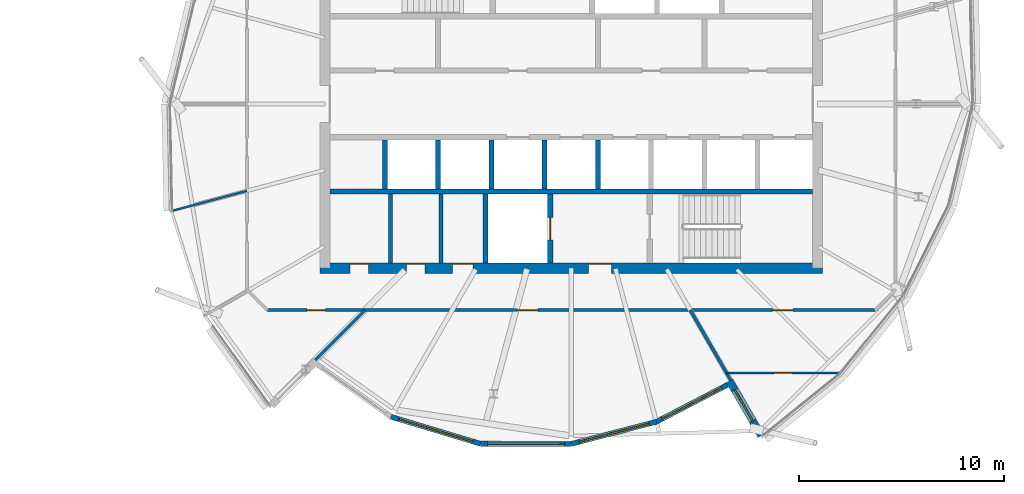
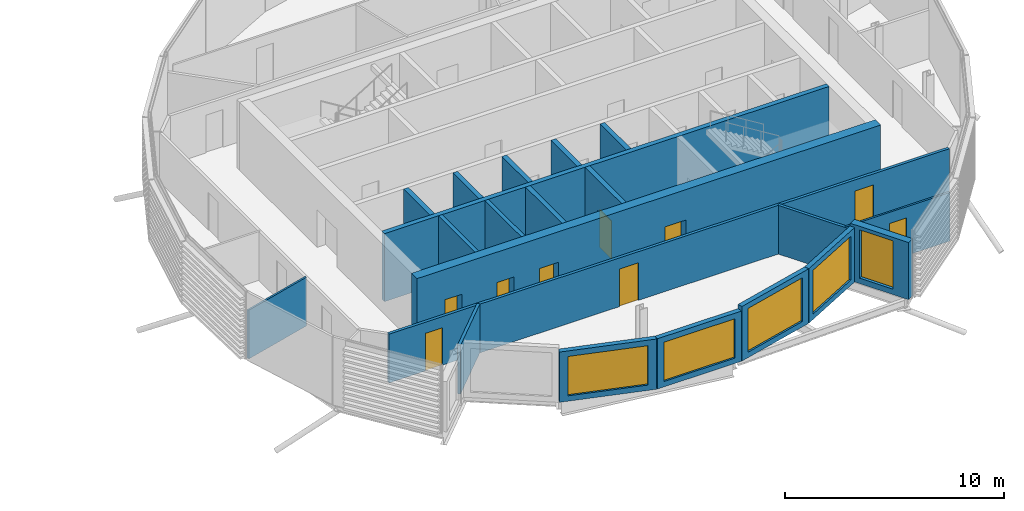
# One storey, part 21 of 35: 21 walls, 9 doors, 5 windows, 14 openings.
"""IFC4 building model written with IfcOpenShell, lengths in metres."""

from ifc_helpers import new_model, si_unit, direction, frame, frame_2d, origin, place, context, subcontext, project, spatial, rectangle, extrude, material, layer, layer_set, type_object, element, fill, save


model = new_model("IFC4")

# Units and contexts
model_context = context("Model", 3, precision=1e-05, world=origin(), true_north=direction((0.0, 1.0)))
body_context = subcontext(model_context, "Body", "Model", "MODEL_VIEW")
ifc_project = project(units=[si_unit("LENGTHUNIT", "METRE"), si_unit("AREAUNIT", "SQUARE_METRE"), si_unit("VOLUMEUNIT", "CUBIC_METRE"), si_unit("PLANEANGLEUNIT", "RADIAN"), si_unit("MASSUNIT", "GRAM", prefix="KILO")], contexts=[model_context])

# Site, building, storey
site_placement = place(None, origin())
site = spatial("IfcSite", under=ifc_project, at=site_placement, CompositionType="ELEMENT")
building_placement = place(site_placement, origin())
building = spatial("IfcBuilding", under=site, at=building_placement, Name="Rimbun Link Towers", CompositionType="ELEMENT")
storey_placement = place(building_placement, frame((0.0, 0.0, 229.5)))
storey = spatial("IfcBuildingStorey", under=building, at=storey_placement, Name="L56", CompositionType="ELEMENT", Elevation=229.5)

# Wall, opening, window
ifc_material_1 = material(Name="Dark enamelled glass spandrel on insulated aluminium backpan", Category="aluminium")
ifc_layer_1 = layer(ifc_material_1, 0.25)
ifc_layer_set_1 = layer_set([ifc_layer_1], Name="CS dark enamelled spandrel wall 250")
wall_type_1 = type_object("IfcWallType", Name="CS dark enamelled spandrel wall 250", PredefinedType="STANDARD", material=ifc_layer_set_1)
wall_1_placement = place(storey_placement, frame((27.328125, -16.558349609375, 0.0), z_axis=(0.0, 0.0, 1.0), x_axis=(-0.957446917434, 0.28860942517, 0.0)))
wall_1 = element("IfcWall", 1, at=wall_1_placement, inside=storey, type_object=wall_type_1, Name="Crease spandrel wall", PredefinedType="STANDARD", context=body_context, shape_type="SweptSolid", body=[
    extrude(rectangle(XDim=4.56201171875, YDim=0.25, at=frame_2d((2.281005859375, 0.0))), origin(), (0.0, 0.0, 1.0), 2.809326171875),
])
opening_1_placement = place(wall_1_placement, frame((0.406005859375, 0.0, 0.300048828125)))
opening_1 = element("IfcOpeningElement", 2, at=opening_1_placement, cuts=wall_1, Name="Opening WR38H220", PredefinedType="OPENING", context=body_context, shape_type="SweptSolid", body=[
    extrude(rectangle(XDim=3.75, YDim=2.199951171875, at=frame_2d((1.875, 1.10009765625))), frame((0.0, 0.135009765625, 0.0), z_axis=(0.0, -1.0, 0.0), x_axis=(1.0, 0.0, 0.0)), (0.0, 0.0, 1.0), 0.27001953125),
])
ifc_material_2 = material(Name="Aluminium framed fixed window, dark tinted low-e glass", Category="aluminium")
window_type_1 = type_object("IfcWindowType", Name="WR ribbon window 3750X2200", PartitioningType="SINGLE_PANEL", PredefinedType="WINDOW", material=ifc_material_2)
window_1_placement = place(opening_1_placement, origin())
window_1 = element("IfcWindow", 3, at=window_1_placement, inside=storey, type_object=window_type_1, Name="Crease ribbon window", OverallHeight=2.199951171875, OverallWidth=3.75, PartitioningType="SINGLE_PANEL", PredefinedType="WINDOW", context=body_context, shape_type="SweptSolid", body=[
    extrude(rectangle(XDim=3.75, YDim=2.199951171875, at=frame_2d((1.875, 1.10009765625))), frame((0.0, 0.030029296875, 0.0), z_axis=(0.0, -1.0, 0.0), x_axis=(1.0, 0.0, 0.0)), (0.0, 0.0, 1.0), 0.06005859375),
])
fill(opening_1, window_1)

wall_2_placement = place(storey_placement, frame((31.765869140625, -16.562255859375, 0.0), z_axis=(0.0, 0.0, 1.0), x_axis=(-0.999999612595, 0.000880232921, 0.0)))
wall_2 = element("IfcWall", 4, at=wall_2_placement, inside=storey, type_object=wall_type_1, Name="Crease spandrel wall", PredefinedType="STANDARD", context=body_context, shape_type="SweptSolid", body=[
    extrude(rectangle(XDim=4.437744140625, YDim=0.25, at=frame_2d((2.21875, 0.0))), origin(), (0.0, 0.0, 1.0), 2.809326171875),
])
opening_2_placement = place(wall_2_placement, frame((0.34375, 0.0, 0.300048828125)))
opening_2 = element("IfcOpeningElement", 5, at=opening_2_placement, cuts=wall_2, Name="Opening WR38H220", PredefinedType="OPENING", context=body_context, shape_type="SweptSolid", body=[
    extrude(rectangle(XDim=3.75, YDim=2.199951171875, at=frame_2d((1.875, 1.10009765625))), frame((0.0, 0.135009765625, 0.0), z_axis=(0.0, -1.0, 0.0), x_axis=(1.0, 0.0, 0.0)), (0.0, 0.0, 1.0), 0.27001953125),
])
window_2_placement = place(opening_2_placement, origin())
window_2 = element("IfcWindow", 6, at=window_2_placement, inside=storey, type_object=window_type_1, Name="Crease ribbon window", OverallHeight=2.199951171875, OverallWidth=3.75, PartitioningType="SINGLE_PANEL", PredefinedType="WINDOW", context=body_context, shape_type="SweptSolid", body=[
    extrude(rectangle(XDim=3.75, YDim=2.199951171875, at=frame_2d((1.875, 1.10009765625))), frame((0.0, 0.030029296875, 0.0), z_axis=(0.0, -1.0, 0.0), x_axis=(1.0, 0.0, 0.0)), (0.0, 0.0, 1.0), 0.06005859375),
])
fill(opening_2, window_2)

wall_3_placement = place(storey_placement, frame((35.91259765625, -15.483642578125, 0.0), z_axis=(0.0, 0.0, 1.0), x_axis=(-0.967796135933, -0.251735256317, 0.0)))
wall_3 = element("IfcWall", 7, at=wall_3_placement, inside=storey, type_object=wall_type_1, Name="Crease spandrel wall", PredefinedType="STANDARD", context=body_context, shape_type="SweptSolid", body=[
    extrude(rectangle(XDim=4.28466796875, YDim=0.25, at=frame_2d((2.142333984375, 0.0))), origin(), (0.0, 0.0, 1.0), 3.04736328125),
])
opening_3_placement = place(wall_3_placement, frame((0.392333984375, 0.0, 0.300048828125)))
opening_3 = element("IfcOpeningElement", 8, at=opening_3_placement, cuts=wall_3, Name="Opening WR35H245", PredefinedType="OPENING", context=body_context, shape_type="SweptSolid", body=[
    extrude(rectangle(XDim=3.5, YDim=2.449951171875, at=frame_2d((1.75, 1.22509765625))), frame((0.0, 0.135009765625, 0.0), z_axis=(0.0, -1.0, 0.0), x_axis=(1.0, 0.0, 0.0)), (0.0, 0.0, 1.0), 0.27001953125),
])
ifc_material_3 = material(Name="Aluminium framed fixed window, dark tinted low-e glass", Category="aluminium")
window_type_2 = type_object("IfcWindowType", Name="WR ribbon window 3500X2450", PartitioningType="SINGLE_PANEL", PredefinedType="WINDOW", material=ifc_material_3)
window_3_placement = place(opening_3_placement, origin())
window_3 = element("IfcWindow", 9, at=window_3_placement, inside=storey, type_object=window_type_2, Name="Crease ribbon window", OverallHeight=2.449951171875, OverallWidth=3.5, PartitioningType="SINGLE_PANEL", PredefinedType="WINDOW", context=body_context, shape_type="SweptSolid", body=[
    extrude(rectangle(XDim=3.5, YDim=2.449951171875, at=frame_2d((1.75, 1.22509765625))), frame((0.0, 0.030029296875, 0.0), z_axis=(0.0, -1.0, 0.0), x_axis=(1.0, 0.0, 0.0)), (0.0, 0.0, 1.0), 0.06005859375),
])
fill(opening_3, window_3)

wall_4_placement = place(storey_placement, frame((39.3642578125, -13.688232421875, 0.0), z_axis=(0.0, 0.0, 1.0), x_axis=(-0.887159260346, -0.461463375342, 0.0)))
wall_4 = element("IfcWall", 10, at=wall_4_placement, inside=storey, type_object=wall_type_1, Name="Crease spandrel wall", PredefinedType="STANDARD", context=body_context, shape_type="SweptSolid", body=[
    extrude(rectangle(XDim=3.890625, YDim=0.25, at=frame_2d((1.9453125, 0.0))), origin(), (0.0, 0.0, 1.0), 3.04736328125),
])
opening_4_placement = place(wall_4_placement, frame((0.3203125, 0.0, 0.300048828125)))
opening_4 = element("IfcOpeningElement", 11, at=opening_4_placement, cuts=wall_4, Name="Opening WR32H245", PredefinedType="OPENING", context=body_context, shape_type="SweptSolid", body=[
    extrude(rectangle(XDim=3.25, YDim=2.449951171875, at=frame_2d((1.625, 1.22509765625))), frame((0.0, 0.135009765625, 0.0), z_axis=(0.0, -1.0, 0.0), x_axis=(1.0, 0.0, 0.0)), (0.0, 0.0, 1.0), 0.27001953125),
])
ifc_material_4 = material(Name="Aluminium framed fixed window, dark tinted low-e glass", Category="aluminium")
window_type_3 = type_object("IfcWindowType", Name="WR ribbon window 3250X2450", PartitioningType="SINGLE_PANEL", PredefinedType="WINDOW", material=ifc_material_4)
window_4_placement = place(opening_4_placement, origin())
window_4 = element("IfcWindow", 12, at=window_4_placement, inside=storey, type_object=window_type_3, Name="Crease ribbon window", OverallHeight=2.449951171875, OverallWidth=3.25, PartitioningType="SINGLE_PANEL", PredefinedType="WINDOW", context=body_context, shape_type="SweptSolid", body=[
    extrude(rectangle(XDim=3.25, YDim=2.449951171875, at=frame_2d((1.625, 1.22509765625))), frame((0.0, 0.030029296875, 0.0), z_axis=(0.0, -1.0, 0.0), x_axis=(1.0, 0.0, 0.0)), (0.0, 0.0, 1.0), 0.06005859375),
])
fill(opening_4, window_4)

ifc_material_5 = material(Name="Dark enamelled glass spandrel on insulated aluminium backpan", Category="aluminium")
ifc_layer_2 = layer(ifc_material_5, 0.3701171875)
ifc_layer_set_2 = layer_set([ifc_layer_2], Name="CS dark enamelled spandrel wall 370")
wall_type_2 = type_object("IfcWallType", Name="CS dark enamelled spandrel wall 370", PredefinedType="STANDARD", material=ifc_layer_set_2)
wall_5_placement = place(storey_placement, frame((41.00732421875, -16.164306640625, 0.0), z_axis=(0.0, 0.0, 1.0), x_axis=(-0.499932877268, 0.866064153644, 0.0)))
wall_5 = element("IfcWall", 13, at=wall_5_placement, inside=storey, type_object=wall_type_2, Name="Crease spandrel wall", PredefinedType="STANDARD", context=body_context, shape_type="SweptSolid", body=[
    extrude(rectangle(XDim=3.080078125, YDim=0.3701171875, at=frame_2d((1.5400390625, 0.0))), origin(), (0.0, 0.0, 1.0), 3.196533203125),
])
opening_5_placement = place(wall_5_placement, frame((0.82958984375, 0.0, 0.300048828125)))
opening_5 = element("IfcOpeningElement", 14, at=opening_5_placement, cuts=wall_5, Name="Opening WR18H270", PredefinedType="OPENING", context=body_context, shape_type="SweptSolid", body=[
    extrude(rectangle(XDim=1.75, YDim=2.699951171875, at=frame_2d((0.875, 1.35009765625))), frame((0.0, 0.195068359375, 0.0), z_axis=(0.0, -1.0, 0.0), x_axis=(1.0, 0.0, 0.0)), (0.0, 0.0, 1.0), 0.39013671875),
])
ifc_material_6 = material(Name="Aluminium framed fixed window, dark tinted low-e glass", Category="aluminium")
window_type_4 = type_object("IfcWindowType", Name="WR ribbon window 1750X2700", PartitioningType="SINGLE_PANEL", PredefinedType="WINDOW", material=ifc_material_6)
window_5_placement = place(opening_5_placement, origin())
window_5 = element("IfcWindow", 15, at=window_5_placement, inside=storey, type_object=window_type_4, Name="Crease ribbon window", OverallHeight=2.699951171875, OverallWidth=1.75, PartitioningType="SINGLE_PANEL", PredefinedType="WINDOW", context=body_context, shape_type="SweptSolid", body=[
    extrude(rectangle(XDim=1.75, YDim=2.699951171875, at=frame_2d((0.875, 1.35009765625))), frame((0.0, 0.030029296875, 0.0), z_axis=(0.0, -1.0, 0.0), x_axis=(1.0, 0.0, 0.0)), (0.0, 0.0, 1.0), 0.06005859375),
])
fill(opening_5, window_5)

# Walls
ifc_material_7 = material(Name="Masonry blockwork", Category="masonry")
ifc_layer_3 = layer(ifc_material_7, 0.199951171875)
ifc_layer_set_3 = layer_set([ifc_layer_3], Name="Core partition 200")
wall_type_3 = type_object("IfcWallType", Name="Core partition 200", PredefinedType="PARTITIONING", material=ifc_layer_set_3)
for number, where, z_axis, x_axis, name in (
    (16, (22.949951171875, -4.39990234375, 0.0), (0.0, 0.0, 1.0), (0.0, -1.0, 0.0), "L56 T2 core wall C1"),
    (17, (25.39990234375, -4.39990234375, 0.0), (0.0, 0.0, 1.0), (0.0, -1.0, 0.0), "L56 T2 core wall C2"),
):
    element("IfcWall", number, at=place(storey_placement, frame(where, z_axis=z_axis, x_axis=x_axis)), inside=storey, type_object=wall_type_3, Name=name, PredefinedType="PARTITIONING", context=body_context, shape_type="SweptSolid", body=[
        extrude(rectangle(XDim=3.35009765625, YDim=0.199951171875, at=frame_2d((1.675048828125, 0.0))), origin(), (0.0, 0.0, 1.0), 3.800048828125),
    ])

# Wall, openings, doors
ifc_material_8 = material(Name="Concrete C60/75", Category="concrete")
ifc_layer_4 = layer(ifc_material_8, 0.5)
ifc_layer_set_4 = layer_set([ifc_layer_4], Name="Core shear wall 500")
wall_type_4 = type_object("IfcWallType", Name="Core shear wall 500", PredefinedType="SHEAR", material=ifc_layer_set_4)
wall_6_placement = place(storey_placement, frame((19.5, -8.0, 0.0), z_axis=(0.0, 0.0, 1.0), x_axis=(1.0, 0.0, 0.0)))
wall_6 = element("IfcWall", 18, at=wall_6_placement, inside=storey, type_object=wall_type_4, Name="L56 T2 core wall S", PredefinedType="SHEAR", context=body_context, shape_type="SweptSolid", body=[
    extrude(rectangle(XDim=24.5, YDim=0.5, at=frame_2d((12.25, 0.0))), origin(), (0.0, 0.0, 1.0), 3.800048828125),
])
opening_6_placement = place(wall_6_placement, frame((13.10009765625, 0.0, 0.0)))
opening_6 = element("IfcOpeningElement", 19, at=opening_6_placement, cuts=wall_6, Name="Opening C2DCF01S", PredefinedType="OPENING", context=body_context, shape_type="SweptSolid", body=[
    extrude(rectangle(XDim=1.10009765625, YDim=2.10009765625, at=frame_2d((0.550048828125, 1.050048828125))), frame((0.0, 0.260009765625, 0.0), z_axis=(0.0, -1.0, 0.0), x_axis=(1.0, 0.0, 0.0)), (0.0, 0.0, 1.0), 0.52001953125),
])
opening_7_placement = place(wall_6_placement, frame((1.47509765625, 0.0, 0.0)))
opening_7 = element("IfcOpeningElement", 20, at=opening_7_placement, cuts=wall_6, Name="Opening C2DWC02S", PredefinedType="OPENING", context=body_context, shape_type="SweptSolid", body=[
    extrude(rectangle(XDim=0.89990234375, YDim=2.10009765625, at=frame_2d((0.449951171875, 1.050048828125))), frame((0.0, 0.260009765625, 0.0), z_axis=(0.0, -1.0, 0.0), x_axis=(1.0, 0.0, 0.0)), (0.0, 0.0, 1.0), 0.52001953125),
])
opening_8_placement = place(wall_6_placement, frame((4.22509765625, 0.0, 0.0)))
opening_8 = element("IfcOpeningElement", 21, at=opening_8_placement, cuts=wall_6, Name="Opening C2DWC03S", PredefinedType="OPENING", context=body_context, shape_type="SweptSolid", body=[
    extrude(rectangle(XDim=0.89990234375, YDim=2.10009765625, at=frame_2d((0.449951171875, 1.050048828125))), frame((0.0, 0.260009765625, 0.0), z_axis=(0.0, -1.0, 0.0), x_axis=(1.0, 0.0, 0.0)), (0.0, 0.0, 1.0), 0.52001953125),
])
opening_9_placement = place(wall_6_placement, frame((6.47509765625, 0.0, 0.0)))
opening_9 = element("IfcOpeningElement", 22, at=opening_9_placement, cuts=wall_6, Name="Opening C2DAW04S", PredefinedType="OPENING", context=body_context, shape_type="SweptSolid", body=[
    extrude(rectangle(XDim=1.0, YDim=2.10009765625, at=frame_2d((0.5, 1.050048828125))), frame((0.0, 0.260009765625, 0.0), z_axis=(0.0, -1.0, 0.0), x_axis=(1.0, 0.0, 0.0)), (0.0, 0.0, 1.0), 0.52001953125),
])
ifc_material_9 = material(Name="Timber", Category="wood")
door_type_1 = type_object("IfcDoorType", Name="Accessible WC door", OperationType="SINGLE_SWING_LEFT", PredefinedType="DOOR", material=ifc_material_9)
door_1_placement = place(opening_9_placement, origin())
door_1 = element("IfcDoor", 23, at=door_1_placement, inside=storey, type_object=door_type_1, Name="L56 T2 accessible wc door", OperationType="SINGLE_SWING_RIGHT", OverallHeight=2.10009765625, OverallWidth=1.0, PredefinedType="DOOR", context=body_context, shape_type="SweptSolid", body=[
    extrude(rectangle(XDim=1.0, YDim=2.10009765625, at=frame_2d((0.5, 1.050048828125))), frame((0.0, 0.25, 0.0), z_axis=(0.0, -1.0, 0.0), x_axis=(1.0, 0.0, 0.0)), (0.0, 0.0, 1.0), 0.050048828125),
])
fill(opening_9, door_1)
ifc_material_10 = material(Name="Steel fire door set", Category="steel")
door_type_2 = type_object("IfcDoorType", Name="Core fire door single", OperationType="SINGLE_SWING_LEFT", PredefinedType="DOOR", material=ifc_material_10)
door_2_placement = place(opening_6_placement, origin())
door_2 = element("IfcDoor", 24, at=door_2_placement, inside=storey, type_object=door_type_2, Name="L56 T2 firefighting lobby s door", OperationType="SINGLE_SWING_LEFT", OverallHeight=2.10009765625, OverallWidth=1.10009765625, PredefinedType="DOOR", context=body_context, shape_type="SweptSolid", body=[
    extrude(rectangle(XDim=1.10009765625, YDim=2.10009765625, at=frame_2d((0.550048828125, 1.050048828125))), frame((0.0, 0.25, 0.0), z_axis=(0.0, -1.0, 0.0), x_axis=(1.0, 0.0, 0.0)), (0.0, 0.0, 1.0), 0.050048828125),
])
fill(opening_6, door_2)
ifc_material_11 = material(Name="Timber", Category="wood")
door_type_3 = type_object("IfcDoorType", Name="WC door", OperationType="SINGLE_SWING_LEFT", PredefinedType="DOOR", material=ifc_material_11)
door_3_placement = place(opening_7_placement, origin())
door_3 = element("IfcDoor", 25, at=door_3_placement, inside=storey, type_object=door_type_3, Name="L56 T2 male wc door", OperationType="SINGLE_SWING_RIGHT", OverallHeight=2.10009765625, OverallWidth=0.89990234375, PredefinedType="DOOR", context=body_context, shape_type="SweptSolid", body=[
    extrude(rectangle(XDim=0.89990234375, YDim=2.10009765625, at=frame_2d((0.449951171875, 1.050048828125))), frame((0.0, 0.25, 0.0), z_axis=(0.0, -1.0, 0.0), x_axis=(1.0, 0.0, 0.0)), (0.0, 0.0, 1.0), 0.050048828125),
])
fill(opening_7, door_3)
door_4_placement = place(opening_8_placement, origin())
door_4 = element("IfcDoor", 26, at=door_4_placement, inside=storey, type_object=door_type_3, Name="L56 T2 female wc door", OperationType="SINGLE_SWING_RIGHT", OverallHeight=2.10009765625, OverallWidth=0.89990234375, PredefinedType="DOOR", context=body_context, shape_type="SweptSolid", body=[
    extrude(rectangle(XDim=0.89990234375, YDim=2.10009765625, at=frame_2d((0.449951171875, 1.050048828125))), frame((0.0, 0.25, 0.0), z_axis=(0.0, -1.0, 0.0), x_axis=(1.0, 0.0, 0.0)), (0.0, 0.0, 1.0), 0.050048828125),
])
fill(opening_8, door_4)

ifc_material_12 = material(Name="Plasterboard on steel stud, mineral wool", Category="steel")
ifc_layer_5 = layer(ifc_material_12, 0.14990234375)
ifc_layer_set_5 = layer_set([ifc_layer_5], Name="Corridor wall EI 30 150 mm")
wall_type_5 = type_object("IfcWallType", Name="Corridor wall EI 30 150 mm", PredefinedType="PARTITIONING", material=ifc_layer_set_5)
wall_7_placement = place(storey_placement, frame((46.5537109375, -10.044921875, 0.0), z_axis=(0.0, 0.0, 1.0), x_axis=(-1.0, 0.0, 0.0)))
wall_7 = element("IfcWall", 27, at=wall_7_placement, inside=storey, type_object=wall_type_5, Name="Corridor wall EI 30 150 mm", PredefinedType="PARTITIONING", context=body_context, shape_type="SweptSolid", body=[
    extrude(rectangle(XDim=29.607421875, YDim=0.14990234375, at=frame_2d((14.8037109375, 0.0))), origin(), (0.0, 0.0, 1.0), 2.721923828125),
])
opening_10_placement = place(wall_7_placement, frame((4.002197265625, 0.0, 0.0)))
opening_10 = element("IfcOpeningElement", 28, at=opening_10_placement, cuts=wall_7, Name="Opening D01", PredefinedType="OPENING", context=body_context, shape_type="SweptSolid", body=[
    extrude(rectangle(XDim=1.0, YDim=2.10009765625, at=frame_2d((0.5, 1.050048828125))), frame((0.0, 0.0849609375, 0.0), z_axis=(0.0, -1.0, 0.0), x_axis=(1.0, 0.0, 0.0)), (0.0, 0.0, 1.0), 0.169921875),
])
opening_11_placement = place(wall_7_placement, frame((26.778076171875, 0.0, 0.0)))
opening_11 = element("IfcOpeningElement", 29, at=opening_11_placement, cuts=wall_7, Name="Opening D02", PredefinedType="OPENING", context=body_context, shape_type="SweptSolid", body=[
    extrude(rectangle(XDim=0.89990234375, YDim=2.10009765625, at=frame_2d((0.449951171875, 1.050048828125))), frame((0.0, 0.0849609375, 0.0), z_axis=(0.0, -1.0, 0.0), x_axis=(1.0, 0.0, 0.0)), (0.0, 0.0, 1.0), 0.169921875),
])
opening_12_placement = place(wall_7_placement, frame((16.426513671875, 0.0, 0.0)))
opening_12 = element("IfcOpeningElement", 30, at=opening_12_placement, cuts=wall_7, Name="Opening D01", PredefinedType="OPENING", context=body_context, shape_type="SweptSolid", body=[
    extrude(rectangle(XDim=1.0, YDim=2.10009765625, at=frame_2d((0.5, 1.050048828125))), frame((0.0, 0.0849609375, 0.0), z_axis=(0.0, -1.0, 0.0), x_axis=(1.0, 0.0, 0.0)), (0.0, 0.0, 1.0), 0.169921875),
])
ifc_material_13 = material(Name="Fire-resisting timber door leaf", Category="wood")
door_type_4 = type_object("IfcDoorType", Name="Fire door FD30S 1000", OperationType="NOTDEFINED", PredefinedType="DOOR", material=ifc_material_13)
door_5_placement = place(opening_10_placement, origin())
door_5 = element("IfcDoor", 31, at=door_5_placement, inside=storey, type_object=door_type_4, Name="Fire door FD30S 1000 to Reception", OperationType="SINGLE_SWING_LEFT", OverallHeight=2.10009765625, OverallWidth=1.0, PredefinedType="DOOR", context=body_context, shape_type="SweptSolid", body=[
    extrude(rectangle(XDim=1.0, YDim=2.10009765625, at=frame_2d((0.5, 1.050048828125))), frame((0.0, 0.02490234375, 0.0), z_axis=(0.0, -1.0, 0.0), x_axis=(1.0, 0.0, 0.0)), (0.0, 0.0, 1.0), 0.050048828125),
])
fill(opening_10, door_5)
door_6_placement = place(opening_12_placement, origin())
door_6 = element("IfcDoor", 32, at=door_6_placement, inside=storey, type_object=door_type_4, Name="Fire door FD30S 1000 to Terrace office", OperationType="SINGLE_SWING_LEFT", OverallHeight=2.10009765625, OverallWidth=1.0, PredefinedType="DOOR", context=body_context, shape_type="SweptSolid", body=[
    extrude(rectangle(XDim=1.0, YDim=2.10009765625, at=frame_2d((0.5, 1.050048828125))), frame((0.0, 0.02490234375, 0.0), z_axis=(0.0, -1.0, 0.0), x_axis=(1.0, 0.0, 0.0)), (0.0, 0.0, 1.0), 0.050048828125),
])
fill(opening_12, door_6)
ifc_material_14 = material(Name="Fire-resisting timber door leaf", Category="wood")
door_type_5 = type_object("IfcDoorType", Name="Fire door FD30S 900", OperationType="NOTDEFINED", PredefinedType="DOOR", material=ifc_material_14)
door_7_placement = place(opening_11_placement, origin())
door_7 = element("IfcDoor", 33, at=door_7_placement, inside=storey, type_object=door_type_5, Name="Fire door FD30S 900 to Meeting room", OperationType="SINGLE_SWING_RIGHT", OverallHeight=2.10009765625, OverallWidth=0.89990234375, PredefinedType="DOOR", context=body_context, shape_type="SweptSolid", body=[
    extrude(rectangle(XDim=0.89990234375, YDim=2.10009765625, at=frame_2d((0.449951171875, 1.050048828125))), frame((0.0, 0.02490234375, 0.0), z_axis=(0.0, -1.0, 0.0), x_axis=(1.0, 0.0, 0.0)), (0.0, 0.0, 1.0), 0.050048828125),
])
fill(opening_11, door_7)

# Wall, opening, door
ifc_material_15 = material(Name="Plasterboard on steel stud", Category="steel")
ifc_layer_6 = layer(ifc_material_15, 0.10009765625)
ifc_layer_set_6 = layer_set([ifc_layer_6], Name="Plasterboard partition 100 mm")
wall_type_6 = type_object("IfcWallType", Name="Plasterboard partition 100 mm", PredefinedType="PARTITIONING", material=ifc_layer_set_6)
wall_8_placement = place(storey_placement, frame((44.83447265625, -13.10498046875, 0.0), z_axis=(0.0, 0.0, 1.0), x_axis=(-1.0, 0.0, 0.0)))
wall_8 = element("IfcWall", 34, at=wall_8_placement, inside=storey, type_object=wall_type_6, Name="Plasterboard partition 100 mm", PredefinedType="PARTITIONING", context=body_context, shape_type="SweptSolid", body=[
    extrude(rectangle(XDim=5.518310546875, YDim=0.10009765625, at=frame_2d((2.75927734375, 0.0))), origin(), (0.0, 0.0, 1.0), 2.721923828125),
])
opening_13_placement = place(wall_8_placement, frame((2.30908203125, 0.0, 0.0)))
opening_13 = element("IfcOpeningElement", 35, at=opening_13_placement, cuts=wall_8, Name="Opening D04", PredefinedType="OPENING", context=body_context, shape_type="SweptSolid", body=[
    extrude(rectangle(XDim=0.89990234375, YDim=2.10009765625, at=frame_2d((0.449951171875, 1.050048828125))), frame((0.0, 0.06005859375, 0.0), z_axis=(0.0, -1.0, 0.0), x_axis=(1.0, 0.0, 0.0)), (0.0, 0.0, 1.0), 0.1201171875),
])
ifc_material_16 = material(Name="Timber door leaf", Category="wood")
door_type_6 = type_object("IfcDoorType", Name="Flush door 900", OperationType="NOTDEFINED", PredefinedType="DOOR", material=ifc_material_16)
door_8_placement = place(opening_13_placement, origin())
door_8 = element("IfcDoor", 36, at=door_8_placement, inside=storey, type_object=door_type_6, Name="Flush door 900 to Executive office", OperationType="SINGLE_SWING_RIGHT", OverallHeight=2.10009765625, OverallWidth=0.89990234375, PredefinedType="DOOR", context=body_context, shape_type="SweptSolid", body=[
    extrude(rectangle(XDim=0.89990234375, YDim=2.10009765625, at=frame_2d((0.449951171875, 1.050048828125))), frame((0.0, 0.02490234375, 0.0), z_axis=(0.0, -1.0, 0.0), x_axis=(1.0, 0.0, 0.0)), (0.0, 0.0, 1.0), 0.050048828125),
])
fill(opening_13, door_8)

# Walls
wall_9_placement = place(storey_placement, frame((12.322509765625, -5.20556640625, 0.0), z_axis=(0.0, 0.0, 1.0), x_axis=(0.965923061481, 0.258829363287, 0.0)))
element("IfcWall", 37, at=wall_9_placement, inside=storey, type_object=wall_type_6, Name="Plasterboard partition 100 mm", PredefinedType="PARTITIONING", context=body_context, shape_type="SweptSolid", body=[
    extrude(rectangle(XDim=3.750244140625, YDim=0.10009765625, at=frame_2d((1.875, 0.0))), origin(), (0.0, 0.0, 1.0), 2.721923828125),
])
ifc_material_17 = material(Name="Concrete C60/75", Category="concrete")
ifc_layer_7 = layer(ifc_material_17, 0.25)
ifc_layer_set_7 = layer_set([ifc_layer_7], Name="Shaft wall 250")
wall_type_7 = type_object("IfcWallType", Name="Shaft wall 250", PredefinedType="SHEAR", material=ifc_layer_set_7)
wall_10_placement = place(storey_placement, frame((20.0, -4.27490234375, 0.0), z_axis=(0.0, 0.0, 1.0), x_axis=(1.0, 0.0, 0.0)))
element("IfcWall", 38, at=wall_10_placement, inside=storey, type_object=wall_type_7, Name="L56 T2 core wall BS", PredefinedType="SHEAR", context=body_context, shape_type="SweptSolid", body=[
    extrude(rectangle(XDim=23.5, YDim=0.25, at=frame_2d((11.75, 0.0))), origin(), (0.0, 0.0, 1.0), 3.800048828125),
])
for number, where, z_axis, x_axis, name in (
    (39, (22.66943359375, -4.14990234375, 0.0), (0.0, 0.0, 1.0), (0.0, 1.0, 0.0), "L56 T2 core wall DS0"),
    (40, (25.263916015625, -4.14990234375, 0.0), (0.0, 0.0, 1.0), (0.0, 1.0, 0.0), "L56 T2 core wall DS1"),
    (41, (27.8583984375, -4.14990234375, 0.0), (0.0, 0.0, 1.0), (0.0, 1.0, 0.0), "L56 T2 core wall DS2"),
    (42, (30.452880859375, -4.14990234375, 0.0), (0.0, 0.0, 1.0), (0.0, 1.0, 0.0), "L56 T2 core wall DS3"),
    (43, (33.047119140625, -4.14990234375, 0.0), (0.0, 0.0, 1.0), (0.0, 1.0, 0.0), "L56 T2 core wall DS4"),
):
    element("IfcWall", number, at=place(storey_placement, frame(where, z_axis=z_axis, x_axis=x_axis)), inside=storey, type_object=wall_type_7, Name=name, PredefinedType="SHEAR", context=body_context, shape_type="SweptSolid", body=[
        extrude(rectangle(XDim=2.39990234375, YDim=0.25, at=frame_2d((1.199951171875, 0.0))), origin(), (0.0, 0.0, 1.0), 3.800048828125),
    ])

# Wall, opening, door
wall_11_placement = place(storey_placement, frame((30.72509765625, -4.39990234375, 0.0), z_axis=(0.0, 0.0, 1.0), x_axis=(0.0, -1.0, 0.0)))
wall_11 = element("IfcWall", 44, at=wall_11_placement, inside=storey, type_object=wall_type_7, Name="L56 T2 core wall B2", PredefinedType="SHEAR", context=body_context, shape_type="SweptSolid", body=[
    extrude(rectangle(XDim=3.35009765625, YDim=0.25, at=frame_2d((1.675048828125, 0.0))), origin(), (0.0, 0.0, 1.0), 3.800048828125),
])
opening_14_placement = place(wall_11_placement, frame((1.125, 0.0, 0.0)))
opening_14 = element("IfcOpeningElement", 45, at=opening_14_placement, cuts=wall_11, Name="Opening LD-T2-FF2", PredefinedType="OPENING", context=body_context, shape_type="SweptSolid", body=[
    extrude(rectangle(XDim=1.10009765625, YDim=2.10009765625, at=frame_2d((0.550048828125, 1.050048828125))), frame((0.0, 0.135009765625, 0.0), z_axis=(0.0, -1.0, 0.0), x_axis=(1.0, 0.0, 0.0)), (0.0, 0.0, 1.0), 0.27001953125),
])
ifc_material_18 = material(Name="Stainless steel grade 316", Category="steel")
door_type_7 = type_object("IfcDoorType", Name="Lift landing door", OperationType="DOUBLE_DOOR_SLIDING", PredefinedType="DOOR", material=ifc_material_18)
door_9_placement = place(opening_14_placement, origin())
door_9 = element("IfcDoor", 46, at=door_9_placement, inside=storey, type_object=door_type_7, Name="L56 T2 lift FF2 landing door", OperationType="DOUBLE_DOOR_SLIDING", OverallHeight=2.10009765625, OverallWidth=1.10009765625, PredefinedType="DOOR", context=body_context, shape_type="SweptSolid", body=[
    extrude(rectangle(XDim=1.10009765625, YDim=2.10009765625, at=frame_2d((0.550048828125, 1.050048828125))), frame((0.0, 0.02490234375, 0.0), z_axis=(0.0, -1.0, 0.0), x_axis=(1.0, 0.0, 0.0)), (0.0, 0.0, 1.0), 0.050048828125),
])
fill(opening_14, door_9)

# Walls
wall_12_placement = place(storey_placement, frame((27.574951171875, -4.39990234375, 0.0), z_axis=(0.0, 0.0, 1.0), x_axis=(0.0, -1.0, 0.0)))
element("IfcWall", 47, at=wall_12_placement, inside=storey, type_object=wall_type_7, Name="L56 T2 core wall B3", PredefinedType="SHEAR", context=body_context, shape_type="SweptSolid", body=[
    extrude(rectangle(XDim=3.35009765625, YDim=0.25, at=frame_2d((1.675048828125, 0.0))), origin(), (0.0, 0.0, 1.0), 3.800048828125),
])
ifc_material_19 = material(Name="Plasterboard on steel stud, mineral wool", Category="steel")
ifc_layer_8 = layer(ifc_material_19, 0.14990234375)
ifc_layer_set_8 = layer_set([ifc_layer_8], Name="Tenancy separation wall EI 60 150 mm")
wall_type_8 = type_object("IfcWallType", Name="Tenancy separation wall EI 60 150 mm", PredefinedType="PARTITIONING", material=ifc_layer_set_8)
wall_13_placement = place(storey_placement, frame((21.705078125, -10.044921875, 0.0), z_axis=(0.0, 0.0, 1.0), x_axis=(-0.707106781187, -0.707106781187, 0.0)))
element("IfcWall", 48, at=wall_13_placement, inside=storey, type_object=wall_type_8, Name="Tenancy separation wall EI 60 150 mm", PredefinedType="PARTITIONING", context=body_context, shape_type="SweptSolid", body=[
    extrude(rectangle(XDim=3.43701171875, YDim=0.14990234375, at=frame_2d((1.718505859375, 0.0))), origin(), (0.0, 0.0, 1.0), 2.721923828125),
])
wall_14_placement = place(storey_placement, frame((37.549560546875, -10.044921875, 0.0), z_axis=(0.0, 0.0, 1.0), x_axis=(0.499982939967, -0.866035253175, 0.0)))
element("IfcWall", 49, at=wall_14_placement, inside=storey, type_object=wall_type_8, Name="Tenancy separation wall EI 60 150 mm", PredefinedType="PARTITIONING", context=body_context, shape_type="SweptSolid", body=[
    extrude(rectangle(XDim=3.948486328125, YDim=0.14990234375, at=frame_2d((1.97412109375, 0.0))), origin(), (0.0, 0.0, 1.0), 2.721923828125),
])

save(model, "model.ifc")
